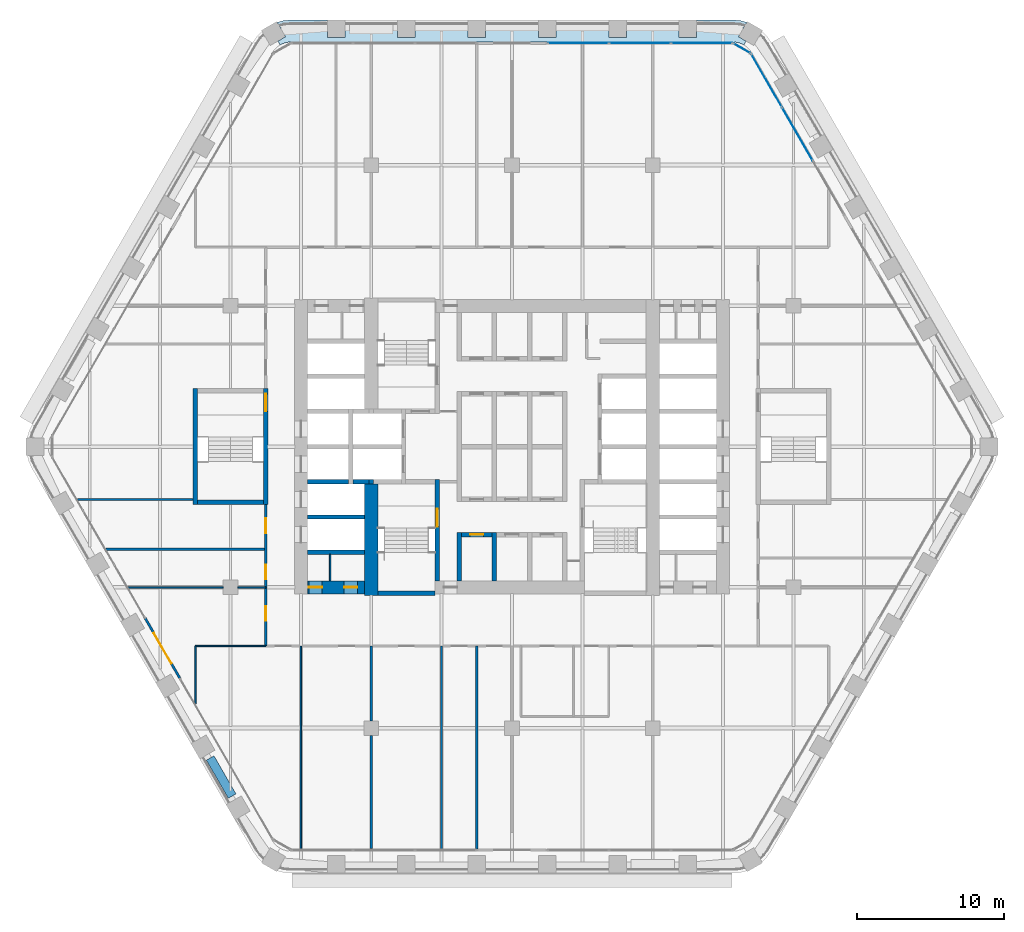
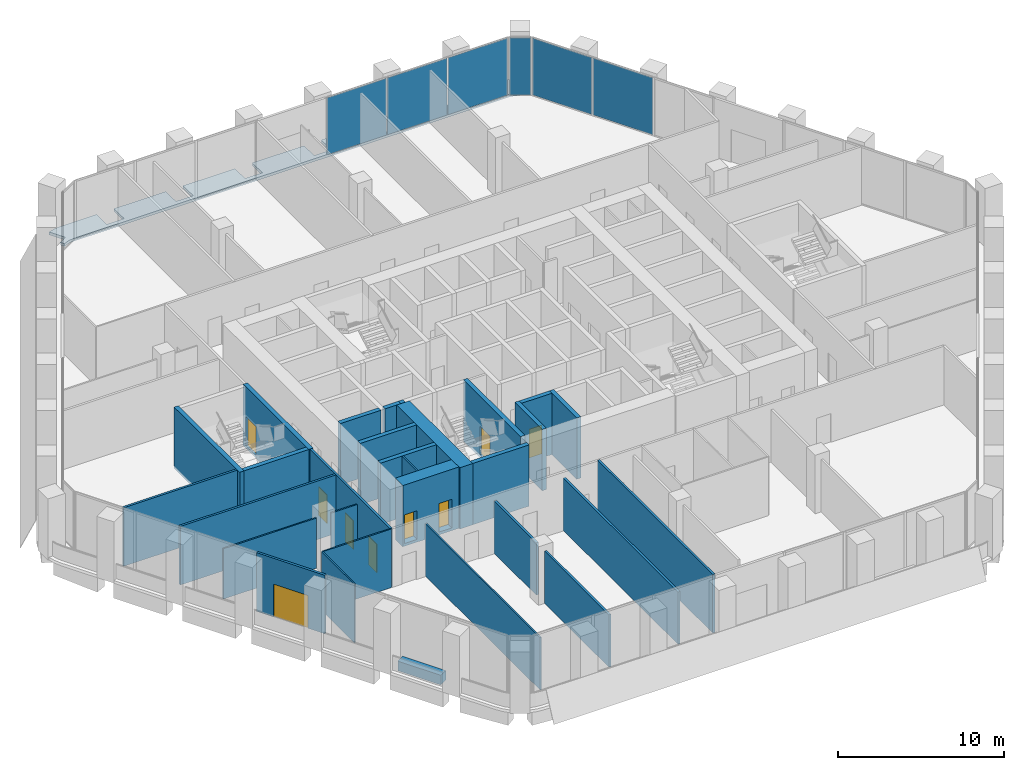
# One storey, part 12 of 23: 30 walls, 9 doors, 6 plates, 1 slab, 9 openings, 3 elements without a shape of their own.
"""IFC4 building model written with IfcOpenShell, lengths in metres."""

from ifc_helpers import new_model, si_unit, direction, frame, frame_2d, origin, origin_2d, place, context, subcontext, project, spatial, polyline, rectangle, outline, extrude, material, layer, layer_set, type_object, element, fill, aggregate, save


model = new_model("IFC4")

# Units and contexts
model_context = context("Model", 3, precision=1e-05, world=origin(), true_north=direction((0.0, 1.0)))
body_context = subcontext(model_context, "Body", "Model", "MODEL_VIEW")
ifc_project = project(units=[si_unit("LENGTHUNIT", "METRE"), si_unit("AREAUNIT", "SQUARE_METRE"), si_unit("VOLUMEUNIT", "CUBIC_METRE"), si_unit("PLANEANGLEUNIT", "RADIAN"), si_unit("MASSUNIT", "GRAM", prefix="KILO")], contexts=[model_context])

# Site, building, storey
site_placement = place(None, origin())
site = spatial("IfcSite", under=ifc_project, at=site_placement, CompositionType="ELEMENT")
building_placement = place(site_placement, origin())
building = spatial("IfcBuilding", under=site, at=building_placement, Name="Kolab Exchange Tower", CompositionType="ELEMENT")
storey_placement = place(building_placement, frame((0.0, 0.0, 95.89990234375)))
storey = spatial("IfcBuildingStorey", under=building, at=storey_placement, Name="L18", CompositionType="ELEMENT", Elevation=95.89990234375)

# Slab
ifc_material_1 = material(Name="Concrete C35/45", Category="concrete")
ifc_layer_1 = layer(ifc_material_1, 0.199951171875)
ifc_layer_set_1 = layer_set([ifc_layer_1], Name="Concrete C35/45")
slab_type = type_object("IfcSlabType", Name="LOGGIA SLAB 200", PredefinedType="FLOOR", material=ifc_layer_set_1)
slab_placement = place(storey_placement, frame((0.0, 0.0, -0.199951171875)))
element("IfcSlab", 1, at=slab_placement, inside=storey, type_object=slab_type, Name="slab/L18/loggia/0-0", PredefinedType="FLOOR", context=body_context, shape_type="SweptSolid", body=[
    extrude(outline(polyline([(15.81787109375, 27.3974609375), (15.968017578125, 27.6572265625), (15.4482421875, 27.957275390625), (16.014892578125, 28.938720703125), (15.5888671875, 29.052978515625), (15.06787109375, 29.098388671875), (12.60009765625, 29.098388671875), (12.60009765625, 27.8984375), (11.39990234375, 27.8984375), (11.39990234375, 29.098388671875), (7.800048828125, 29.098388671875), (7.800048828125, 27.8984375), (6.60009765625, 27.8984375), (6.60009765625, 29.098388671875), (3.0, 29.098388671875), (3.0, 27.8984375), (1.800048828125, 27.8984375), (1.800048828125, 29.098388671875), (-1.800048828125, 29.098388671875), (-1.800048828125, 27.8984375), (-3.0, 27.8984375), (-3.0, 29.098388671875), (-6.60009765625, 29.098388671875), (-6.60009765625, 27.8984375), (-7.800048828125, 27.8984375), (-7.800048828125, 29.098388671875), (-11.39990234375, 29.098388671875), (-11.39990234375, 27.8984375), (-12.60009765625, 27.8984375), (-12.60009765625, 29.098388671875), (-15.06787109375, 29.098388671875), (-15.5888671875, 29.052978515625), (-16.014892578125, 28.938720703125), (-15.4482421875, 27.957275390625), (-15.968017578125, 27.6572265625), (-15.81787109375, 27.3974609375), (-15.5810546875, 27.508056640625), (-15.328369140625, 27.57568359375), (-15.06787109375, 27.598388671875), (15.06787109375, 27.598388671875), (15.328369140625, 27.57568359375), (15.5810546875, 27.508056640625), (15.81787109375, 27.3974609375)])), origin(), (0.0, 0.0, 1.0), 0.199951171875),
])

# Curtain wall, plates
ifc_material_2 = material(Name="Aluminium EN AW-6063 T6", Category="aluminium")
curtain_wall_type = type_object("IfcCurtainWallType", Name="UNITISED LOWER MID ZONE CURTAIN WALL", PredefinedType="NOTDEFINED", material=ifc_material_2)
curtain_wall_1_placement = place(storey_placement, origin())
curtain_wall_1 = element("IfcCurtainWall", 2, at=curtain_wall_1_placement, inside=storey, type_object=curtain_wall_type, Name="cw/L18/F1-2", PredefinedType="NOTDEFINED")
ifc_material_3 = material(Name="Clear insulated glazing unit", Category="glass")
ifc_layer_2 = layer(ifc_material_3, 0.02587890625)
ifc_layer_set_2 = layer_set([ifc_layer_2], Name="Clear insulated glazing unit")
plate_type = type_object("IfcPlateType", Name="UNITISED LOWER MID ZONE GLASS PANEL 26", PredefinedType="CURTAIN_PANEL", material=ifc_layer_set_2)
plate_1_placement = place(storey_placement, frame((4.5263671875, 27.5185546875, 0.06005859375), z_axis=(0.0, 0.0, 1.0), x_axis=(1.0, 0.0, 0.0)))
plate_1 = element("IfcPlate", 3, at=plate_1_placement, type_object=plate_type, Name="CW2 panel 1.1", PredefinedType="CURTAIN_PANEL", context=body_context, shape_type="SweptSolid", body=[
    extrude(rectangle(XDim=4.132568359375, YDim=0.02587890625, at=origin_2d()), origin(), (0.0, 0.0, 1.0), 4.179931640625),
])
plate_2_placement = place(storey_placement, frame((8.73388671875, 27.5185546875, 0.06005859375), z_axis=(0.0, 0.0, 1.0), x_axis=(1.0, 0.0, 0.0)))
plate_2 = element("IfcPlate", 4, at=plate_2_placement, type_object=plate_type, Name="CW2 panel 2.1", PredefinedType="CURTAIN_PANEL", context=body_context, shape_type="SweptSolid", body=[
    extrude(rectangle(XDim=4.16259765625, YDim=0.02587890625, at=origin_2d()), origin(), (0.0, 0.0, 1.0), 4.179931640625),
])
plate_3_placement = place(storey_placement, frame((12.941650390625, 27.5185546875, 0.06005859375), z_axis=(0.0, 0.0, 1.0), x_axis=(1.0, 0.0, 0.0)))
plate_3 = element("IfcPlate", 5, at=plate_3_placement, type_object=plate_type, Name="CW2 panel 3.1", PredefinedType="CURTAIN_PANEL", context=body_context, shape_type="SweptSolid", body=[
    extrude(rectangle(XDim=4.132568359375, YDim=0.02587890625, at=origin_2d()), origin(), (0.0, 0.0, 1.0), 4.179931640625),
])
aggregate(curtain_wall_1, [plate_1, plate_2, plate_3])

curtain_wall_2_placement = place(storey_placement, origin())
curtain_wall_2 = element("IfcCurtainWall", 6, at=curtain_wall_2_placement, inside=storey, type_object=curtain_wall_type, Name="cw/L18/F2-1", PredefinedType="NOTDEFINED")
plate_4_placement = place(storey_placement, frame((17.36083984375, 24.967041015625, 0.06005859375), z_axis=(0.0, 0.0, 1.0), x_axis=(0.500000017564, -0.866025393644, 0.0)))
plate_4 = element("IfcPlate", 7, at=plate_4_placement, type_object=plate_type, Name="CW2 panel 1.1", PredefinedType="CURTAIN_PANEL", context=body_context, shape_type="SweptSolid", body=[
    extrude(rectangle(XDim=4.132568359375, YDim=0.02587890625, at=origin_2d()), origin(), (0.0, 0.0, 1.0), 4.179931640625),
])
plate_5_placement = place(storey_placement, frame((19.464599609375, 21.322998046875, 0.06005859375), z_axis=(0.0, 0.0, 1.0), x_axis=(0.500000017564, -0.866025393644, 0.0)))
plate_5 = element("IfcPlate", 8, at=plate_5_placement, type_object=plate_type, Name="CW2 panel 2.1", PredefinedType="CURTAIN_PANEL", context=body_context, shape_type="SweptSolid", body=[
    extrude(rectangle(XDim=4.16259765625, YDim=0.02587890625, at=origin_2d()), origin(), (0.0, 0.0, 1.0), 4.179931640625),
])
aggregate(curtain_wall_2, [plate_4, plate_5])

# Curtain wall, plate
curtain_wall_3_placement = place(storey_placement, origin())
curtain_wall_3 = element("IfcCurtainWall", 9, at=curtain_wall_3_placement, inside=storey, type_object=curtain_wall_type, Name="cw/L18/F1F2-corner", PredefinedType="NOTDEFINED")
plate_6_placement = place(storey_placement, frame((15.682861328125, 27.16357421875, 0.06005859375), z_axis=(0.0, 0.0, 1.0), x_axis=(0.866025390869, -0.50000002237, 0.0)))
plate_6 = element("IfcPlate", 10, at=plate_6_placement, type_object=plate_type, Name="CW2 panel 1.1", PredefinedType="CURTAIN_PANEL", context=body_context, shape_type="SweptSolid", body=[
    extrude(rectangle(XDim=1.300048828125, YDim=0.02587890625, at=origin_2d()), origin(), (0.0, 0.0, 1.0), 4.179931640625),
])
aggregate(curtain_wall_3, [plate_6])

# Wall, openings, doors
ifc_material_4 = material(Name="Concrete C70/85", Category="concrete")
ifc_layer_3 = layer(ifc_material_4, 0.89990234375)
ifc_layer_set_3 = layer_set([ifc_layer_3], Name="Concrete C70/85")
wall_type_1 = type_object("IfcWallType", Name="CORE WALL 900 C70/85", PredefinedType="SHEAR", material=ifc_layer_set_3)
wall_1_placement = place(storey_placement, frame((-13.949951171875, -9.60009765625, -0.199951171875), z_axis=(0.0, 0.0, 1.0), x_axis=(1.0, 0.0, 0.0)))
wall_1 = element("IfcWall", 11, at=wall_1_placement, inside=storey, type_object=wall_type_1, Name="wall/L18/core/002", PredefinedType="SHEAR", context=body_context, shape_type="SweptSolid", body=[
    extrude(rectangle(XDim=3.89990234375, YDim=0.89990234375, at=frame_2d((1.949951171875, 0.0))), origin(), (0.0, 0.0, 1.0), 4.5),
])
opening_1_placement = place(wall_1_placement, frame((0.10009765625, 0.0, 0.199951171875)))
opening_1 = element("IfcOpeningElement", 12, at=opening_1_placement, cuts=wall_1, Name="Opening D6-228", PredefinedType="OPENING", context=body_context, shape_type="SweptSolid", body=[
    extrude(rectangle(XDim=0.89990234375, YDim=2.10009765625, at=frame_2d((0.449951171875, 1.050048828125))), frame((0.0, 0.4599609375, 0.0), z_axis=(0.0, -1.0, 0.0), x_axis=(1.0, 0.0, 0.0)), (0.0, 0.0, 1.0), 0.919921875),
])
opening_2_placement = place(wall_1_placement, frame((2.5, 0.0, 0.199951171875)))
opening_2 = element("IfcOpeningElement", 13, at=opening_2_placement, cuts=wall_1, Name="Opening D6-229", PredefinedType="OPENING", context=body_context, shape_type="SweptSolid", body=[
    extrude(rectangle(XDim=0.89990234375, YDim=2.10009765625, at=frame_2d((0.449951171875, 1.050048828125))), frame((0.0, 0.4599609375, 0.0), z_axis=(0.0, -1.0, 0.0), x_axis=(1.0, 0.0, 0.0)), (0.0, 0.0, 1.0), 0.919921875),
])
ifc_material_5 = material(Name="Steel S235", Category="steel")
door_type_1 = type_object("IfcDoorType", Name="CORE DOOR 900 EI 120", OperationType="SINGLE_SWING_LEFT", PredefinedType="DOOR", material=ifc_material_5)
door_1_placement = place(opening_1_placement, origin())
door_1 = element("IfcDoor", 14, at=door_1_placement, inside=storey, type_object=door_type_1, Name="Service room door", OperationType="SINGLE_SWING_RIGHT", OverallHeight=2.10009765625, OverallWidth=0.89990234375, PredefinedType="DOOR", context=body_context, shape_type="SweptSolid", body=[
    extrude(rectangle(XDim=0.89990234375, YDim=2.10009765625, at=frame_2d((0.449951171875, 1.050048828125))), frame((0.0, 0.02490234375, 0.0), z_axis=(0.0, -1.0, 0.0), x_axis=(1.0, 0.0, 0.0)), (0.0, 0.0, 1.0), 0.050048828125),
])
fill(opening_1, door_1)
door_2_placement = place(opening_2_placement, origin())
door_2 = element("IfcDoor", 15, at=door_2_placement, inside=storey, type_object=door_type_1, Name="Service room door", OperationType="SINGLE_SWING_LEFT", OverallHeight=2.10009765625, OverallWidth=0.89990234375, PredefinedType="DOOR", context=body_context, shape_type="SweptSolid", body=[
    extrude(rectangle(XDim=0.89990234375, YDim=2.10009765625, at=frame_2d((0.449951171875, 1.050048828125))), frame((0.0, 0.02490234375, 0.0), z_axis=(0.0, -1.0, 0.0), x_axis=(1.0, 0.0, 0.0)), (0.0, 0.0, 1.0), 0.050048828125),
])
fill(opening_2, door_2)

# Wall
wall_2_placement = place(storey_placement, frame((-9.60009765625, -10.14990234375, -0.199951171875), z_axis=(0.0, 0.0, 1.0), x_axis=(0.0, 1.0, 0.0)))
element("IfcWall", 16, at=wall_2_placement, inside=storey, type_object=wall_type_1, Name="wall/L18/core/059", PredefinedType="SHEAR", context=body_context, shape_type="SweptSolid", body=[
    extrude(rectangle(XDim=7.599853515625, YDim=0.89990234375, at=frame_2d((3.7998046875, 0.0))), origin(), (0.0, 0.0, 1.0), 4.5),
])

# Wall, opening, door
ifc_layer_4 = layer(ifc_material_2, 0.159912109375)
ifc_layer_set_4 = layer_set([ifc_layer_4], Name="Aluminium EN AW-6063 T6")
wall_type_2 = type_object("IfcWallType", Name="DOOR SURROUND WALL 160 ALUMINIUM FRAMED", PredefinedType="PARTITIONING", material=ifc_layer_set_4)
wall_3_placement = place(storey_placement, frame((-22.646728515625, -15.811767578125, 0.0), z_axis=(0.0, 0.0, 1.0), x_axis=(-0.499978080042, 0.866038058908, 0.0)))
wall_3 = element("IfcWall", 17, at=wall_3_placement, inside=storey, type_object=wall_type_2, Name="Door surround wall", PredefinedType="PARTITIONING", context=body_context, shape_type="SweptSolid", body=[
    extrude(rectangle(XDim=4.739990234375, YDim=0.159912109375, at=frame_2d((2.3701171875, 0.0))), origin(), (0.0, 0.0, 1.0), 4.300048828125),
])
opening_3_placement = place(wall_3_placement, frame((1.169921875, 0.0, 0.0)))
opening_3 = element("IfcOpeningElement", 18, at=opening_3_placement, cuts=wall_3, Name="Opening GD1-038", PredefinedType="OPENING", context=body_context, shape_type="SweptSolid", body=[
    extrude(rectangle(XDim=2.39990234375, YDim=2.39990234375, at=frame_2d((1.199951171875, 1.199951171875))), frame((0.0, 0.08984375, 0.0), z_axis=(0.0, -1.0, 0.0), x_axis=(1.0, 0.0, 0.0)), (0.0, 0.0, 1.0), 0.179931640625),
])
door_type_2 = type_object("IfcDoorType", Name="LOGGIA SLIDING GLASS DOOR 2400 X 2400", OperationType="DOUBLE_DOOR_SINGLE_SWING", PredefinedType="DOOR", material=ifc_material_2)
door_3_placement = place(opening_3_placement, origin())
door_3 = element("IfcDoor", 19, at=door_3_placement, inside=storey, type_object=door_type_2, Name="Loggia door", OperationType="DOUBLE_DOOR_SLIDING", OverallHeight=2.39990234375, OverallWidth=2.39990234375, PredefinedType="DOOR", context=body_context, shape_type="SweptSolid", body=[
    extrude(rectangle(XDim=2.39990234375, YDim=2.39990234375, at=frame_2d((1.199951171875, 1.199951171875))), frame((0.0, 0.02490234375, 0.0), z_axis=(0.0, -1.0, 0.0), x_axis=(1.0, 0.0, 0.0)), (0.0, 0.0, 1.0), 0.050048828125),
])
fill(opening_3, door_3)

# Wall
ifc_material_6 = material(Name="Concrete C50/60", Category="concrete")
ifc_layer_5 = layer(ifc_material_6, 0.300048828125)
ifc_layer_set_5 = layer_set([ifc_layer_5], Name="Concrete C50/60")
wall_type_3 = type_object("IfcWallType", Name="LIFT SHAFT WALL 300 C50/60", PredefinedType="STANDARD", material=ifc_layer_set_5)
wall_4_placement = place(storey_placement, frame((-13.949951171875, -7.199951171875, -0.199951171875), z_axis=(0.0, 0.0, 1.0), x_axis=(1.0, 0.0, 0.0)))
element("IfcWall", 20, at=wall_4_placement, inside=storey, type_object=wall_type_3, Name="wall/L18/core/005", PredefinedType="STANDARD", context=body_context, shape_type="SweptSolid", body=[
    extrude(rectangle(XDim=3.89990234375, YDim=0.300048828125, at=frame_2d((1.949951171875, 0.0))), origin(), (0.0, 0.0, 1.0), 4.5),
])

# Wall, opening, door
wall_5_placement = place(storey_placement, frame((-3.449951171875, -6.0, -0.199951171875), z_axis=(0.0, 0.0, 1.0), x_axis=(1.0, 0.0, 0.0)))
wall_5 = element("IfcWall", 21, at=wall_5_placement, inside=storey, type_object=wall_type_3, Name="wall/L18/core/007", PredefinedType="STANDARD", context=body_context, shape_type="SweptSolid", body=[
    extrude(rectangle(XDim=2.099853515625, YDim=0.300048828125, at=frame_2d((1.0498046875, 0.0))), origin(), (0.0, 0.0, 1.0), 4.5),
])
opening_4_placement = place(wall_5_placement, frame((0.60009765625, 0.0, 0.199951171875)))
opening_4 = element("IfcOpeningElement", 22, at=opening_4_placement, cuts=wall_5, Name="Opening D6-202", PredefinedType="OPENING", context=body_context, shape_type="SweptSolid", body=[
    extrude(rectangle(XDim=0.89990234375, YDim=2.10009765625, at=frame_2d((0.449951171875, 1.050048828125))), frame((0.0, 0.16015625, 0.0), z_axis=(0.0, -1.0, 0.0), x_axis=(1.0, 0.0, 0.0)), (0.0, 0.0, 1.0), 0.320068359375),
])
door_4_placement = place(opening_4_placement, frame((0.89990234375, 0.0, 0.0), z_axis=(0.0, 0.0, 1.0), x_axis=(-1.0, 0.0, 0.0)))
door_4 = element("IfcDoor", 23, at=door_4_placement, inside=storey, type_object=door_type_1, Name="Service room door", OperationType="SINGLE_SWING_LEFT", OverallHeight=2.10009765625, OverallWidth=0.89990234375, PredefinedType="DOOR", context=body_context, shape_type="SweptSolid", body=[
    extrude(rectangle(XDim=0.89990234375, YDim=2.10009765625, at=frame_2d((0.449951171875, 1.050048828125))), frame((0.0, 0.02490234375, 0.0), z_axis=(0.0, -1.0, 0.0), x_axis=(1.0, 0.0, 0.0)), (0.0, 0.0, 1.0), 0.050048828125),
])
fill(opening_4, door_4)

# Walls
wall_6_placement = place(storey_placement, frame((-13.949951171875, -4.800048828125, -0.199951171875), z_axis=(0.0, 0.0, 1.0), x_axis=(1.0, 0.0, 0.0)))
element("IfcWall", 24, at=wall_6_placement, inside=storey, type_object=wall_type_3, Name="wall/L18/core/010", PredefinedType="STANDARD", context=body_context, shape_type="SweptSolid", body=[
    extrude(rectangle(XDim=3.89990234375, YDim=0.300048828125, at=frame_2d((1.949951171875, 0.0))), origin(), (0.0, 0.0, 1.0), 4.5),
])
wall_7_placement = place(storey_placement, frame((-13.949951171875, -2.39990234375, -0.199951171875), z_axis=(0.0, 0.0, 1.0), x_axis=(1.0, 0.0, 0.0)))
element("IfcWall", 25, at=wall_7_placement, inside=storey, type_object=wall_type_3, Name="wall/L18/core/017", PredefinedType="STANDARD", context=body_context, shape_type="SweptSolid", body=[
    extrude(rectangle(XDim=2.800048828125, YDim=0.300048828125, at=frame_2d((1.39990234375, 0.0))), origin(), (0.0, 0.0, 1.0), 4.5),
])
wall_8_placement = place(storey_placement, frame((-10.85009765625, -2.39990234375, -0.199951171875), z_axis=(0.0, 0.0, 1.0), x_axis=(1.0, 0.0, 0.0)))
element("IfcWall", 26, at=wall_8_placement, inside=storey, type_object=wall_type_3, Name="wall/L18/core/018", PredefinedType="STANDARD", context=body_context, shape_type="SweptSolid", body=[
    extrude(rectangle(XDim=1.10009765625, YDim=0.300048828125, at=frame_2d((0.550048828125, 0.0))), origin(), (0.0, 0.0, 1.0), 4.5),
])
for number, where, z_axis, x_axis, name in (
    (27, (-3.60009765625, -9.14990234375, -0.199951171875), (0.0, 0.0, 1.0), (0.0, 1.0, 0.0), "wall/L18/core/066"),
    (28, (-1.199951171875, -9.14990234375, -0.199951171875), (0.0, 0.0, 1.0), (0.0, 1.0, 0.0), "wall/L18/core/069"),
):
    element("IfcWall", number, at=place(storey_placement, frame(where, z_axis=z_axis, x_axis=x_axis)), inside=storey, type_object=wall_type_3, Name=name, PredefinedType="STANDARD", context=body_context, shape_type="SweptSolid", body=[
        extrude(rectangle(XDim=3.2998046875, YDim=0.300048828125, at=frame_2d((1.64990234375, 0.0))), origin(), (0.0, 0.0, 1.0), 4.5),
    ])
ifc_material_7 = material(Name="Gypsum board", Category="gypsum")
ifc_layer_6 = layer(ifc_material_7, 0.10009765625)
ifc_layer_set_6 = layer_set([ifc_layer_6], Name="Gypsum board")
wall_type_4 = type_object("IfcWallType", Name="PARTITION 100", PredefinedType="PARTITIONING", material=ifc_layer_set_6)
wall_9_placement = place(storey_placement, frame((-12.39990234375, -9.14990234375, 0.0), z_axis=(0.0, 0.0, 1.0), x_axis=(0.0, 1.0, 0.0)))
element("IfcWall", 29, at=wall_9_placement, inside=storey, type_object=wall_type_4, Name="Partition 029", PredefinedType="PARTITIONING", context=body_context, shape_type="SweptSolid", body=[
    extrude(rectangle(XDim=1.7998046875, YDim=0.10009765625, at=frame_2d((0.89990234375, 0.0))), origin(), (0.0, 0.0, 1.0), 4.300048828125),
])
wall_10_placement = place(storey_placement, frame((-14.39990234375, -27.428466796875, 0.0), z_axis=(0.0, 0.0, 1.0), x_axis=(0.0, 1.0, 0.0)))
element("IfcWall", 30, at=wall_10_placement, inside=storey, type_object=wall_type_4, Name="Partition 030", PredefinedType="PARTITIONING", context=body_context, shape_type="SweptSolid", body=[
    extrude(rectangle(XDim=13.828369140625, YDim=0.10009765625, at=frame_2d((6.9140625, 0.0))), origin(), (0.0, 0.0, 1.0), 3.843017578125),
])
wall_11_placement = place(storey_placement, frame((-21.60009765625, -17.544677734375, 0.0), z_axis=(0.0, 0.0, 1.0), x_axis=(0.0, 1.0, 0.0)))
element("IfcWall", 31, at=wall_11_placement, inside=storey, type_object=wall_type_4, Name="Partition 033", PredefinedType="PARTITIONING", context=body_context, shape_type="SweptSolid", body=[
    extrude(rectangle(XDim=3.944580078125, YDim=0.10009765625, at=frame_2d((1.97216796875, 0.0))), origin(), (0.0, 0.0, 1.0), 4.300048828125),
])
wall_12_placement = place(storey_placement, frame((-21.60009765625, -13.60009765625, 0.0), z_axis=(0.0, 0.0, 1.0), x_axis=(1.0, 0.0, 0.0)))
element("IfcWall", 32, at=wall_12_placement, inside=storey, type_object=wall_type_4, Name="Partition 036", PredefinedType="PARTITIONING", context=body_context, shape_type="SweptSolid", body=[
    extrude(rectangle(XDim=4.800048828125, YDim=0.10009765625, at=frame_2d((2.39990234375, 0.0))), origin(), (0.0, 0.0, 1.0), 4.300048828125),
])
wall_13_placement = place(storey_placement, frame((-26.186767578125, -9.60009765625, 0.0), z_axis=(0.0, 0.0, 1.0), x_axis=(1.0, 0.0, 0.0)))
element("IfcWall", 33, at=wall_13_placement, inside=storey, type_object=wall_type_4, Name="Partition 038", PredefinedType="PARTITIONING", context=body_context, shape_type="SweptSolid", body=[
    extrude(rectangle(XDim=6.48681640625, YDim=0.10009765625, at=frame_2d((3.243408203125, 0.0))), origin(), (0.0, 0.0, 1.0), 3.692138671875),
])
wall_14_placement = place(storey_placement, frame((-18.699951171875, -9.60009765625, 0.0), z_axis=(0.0, 0.0, 1.0), x_axis=(1.0, 0.0, 0.0)))
element("IfcWall", 34, at=wall_14_placement, inside=storey, type_object=wall_type_4, Name="Partition 039", PredefinedType="PARTITIONING", context=body_context, shape_type="SweptSolid", body=[
    extrude(rectangle(XDim=1.89990234375, YDim=0.10009765625, at=frame_2d((0.949951171875, 0.0))), origin(), (0.0, 0.0, 1.0), 3.692138671875),
])
ifc_layer_7 = layer(ifc_material_7, 0.14990234375)
ifc_layer_set_7 = layer_set([ifc_layer_7], Name="Gypsum board")
wall_type_5 = type_object("IfcWallType", Name="PARTITION 150 FIRE-RATED", PredefinedType="PARTITIONING", material=ifc_layer_set_7)
wall_15_placement = place(storey_placement, frame((-2.39990234375, -27.4384765625, 0.0), z_axis=(0.0, 0.0, 1.0), x_axis=(0.0, 1.0, 0.0)))
element("IfcWall", 35, at=wall_15_placement, inside=storey, type_object=wall_type_5, Name="Partition 020", PredefinedType="PARTITIONING", context=body_context, shape_type="SweptSolid", body=[
    extrude(rectangle(XDim=13.83837890625, YDim=0.14990234375, at=frame_2d((6.919189453125, 0.0))), origin(), (0.0, 0.0, 1.0), 4.300048828125),
])
wall_16_placement = place(storey_placement, frame((-4.800048828125, -27.428466796875, 0.0), z_axis=(0.0, 0.0, 1.0), x_axis=(0.0, 1.0, 0.0)))
element("IfcWall", 36, at=wall_16_placement, inside=storey, type_object=wall_type_5, Name="Partition 022", PredefinedType="PARTITIONING", context=body_context, shape_type="SweptSolid", body=[
    extrude(rectangle(XDim=13.828369140625, YDim=0.14990234375, at=frame_2d((6.9140625, 0.0))), origin(), (0.0, 0.0, 1.0), 3.843017578125),
])
wall_17_placement = place(storey_placement, frame((-9.60009765625, -27.428466796875, 0.0), z_axis=(0.0, 0.0, 1.0), x_axis=(0.0, 1.0, 0.0)))
element("IfcWall", 37, at=wall_17_placement, inside=storey, type_object=wall_type_5, Name="Partition 023", PredefinedType="PARTITIONING", context=body_context, shape_type="SweptSolid", body=[
    extrude(rectangle(XDim=7.728515625, YDim=0.14990234375, at=frame_2d((3.8642578125, 0.0))), origin(), (0.0, 0.0, 1.0), 3.843017578125),
])
wall_18_placement = place(storey_placement, frame((-9.60009765625, -18.699951171875, 0.0), z_axis=(0.0, 0.0, 1.0), x_axis=(0.0, 1.0, 0.0)))
element("IfcWall", 38, at=wall_18_placement, inside=storey, type_object=wall_type_5, Name="Partition 024", PredefinedType="PARTITIONING", context=body_context, shape_type="SweptSolid", body=[
    extrude(rectangle(XDim=5.099853515625, YDim=0.14990234375, at=frame_2d((2.5498046875, 0.0))), origin(), (0.0, 0.0, 1.0), 3.843017578125),
])

# Wall, openings, doors
wall_19_placement = place(storey_placement, frame((-16.800048828125, -13.60009765625, 0.0), z_axis=(0.0, 0.0, 1.0), x_axis=(0.0, 1.0, 0.0)))
wall_19 = element("IfcWall", 39, at=wall_19_placement, inside=storey, type_object=wall_type_5, Name="Partition 031", PredefinedType="PARTITIONING", context=body_context, shape_type="SweptSolid", body=[
    extrude(rectangle(XDim=9.650146484375, YDim=0.14990234375, at=frame_2d((4.8251953125, 0.0))), origin(), (0.0, 0.0, 1.0), 4.300048828125),
])
opening_5_placement = place(wall_19_placement, frame((1.72509765625, 0.0, 0.0)))
opening_5 = element("IfcOpeningElement", 40, at=opening_5_placement, cuts=wall_19, Name="Opening D1-276", PredefinedType="OPENING", context=body_context, shape_type="SweptSolid", body=[
    extrude(rectangle(XDim=1.0, YDim=2.10009765625, at=frame_2d((0.5, 1.050048828125))), frame((0.0, 0.0849609375, 0.0), z_axis=(0.0, -1.0, 0.0), x_axis=(1.0, 0.0, 0.0)), (0.0, 0.0, 1.0), 0.169921875),
])
opening_6_placement = place(wall_19_placement, frame((4.554931640625, 0.0, 0.0)))
opening_6 = element("IfcOpeningElement", 41, at=opening_6_placement, cuts=wall_19, Name="Opening D1-277", PredefinedType="OPENING", context=body_context, shape_type="SweptSolid", body=[
    extrude(rectangle(XDim=1.0, YDim=2.10009765625, at=frame_2d((0.5, 1.050048828125))), frame((0.0, 0.0849609375, 0.0), z_axis=(0.0, -1.0, 0.0), x_axis=(1.0, 0.0, 0.0)), (0.0, 0.0, 1.0), 0.169921875),
])
opening_7_placement = place(wall_19_placement, frame((7.699951171875, 0.0, 0.0)))
opening_7 = element("IfcOpeningElement", 42, at=opening_7_placement, cuts=wall_19, Name="Opening D1-278", PredefinedType="OPENING", context=body_context, shape_type="SweptSolid", body=[
    extrude(rectangle(XDim=1.0, YDim=2.10009765625, at=frame_2d((0.5, 1.050048828125))), frame((0.0, 0.0849609375, 0.0), z_axis=(0.0, -1.0, 0.0), x_axis=(1.0, 0.0, 0.0)), (0.0, 0.0, 1.0), 0.169921875),
])
door_type_3 = type_object("IfcDoorType", Name="FLUSH DOOR 1000 FD60", OperationType="SINGLE_SWING_LEFT", PredefinedType="DOOR", material=ifc_material_5)
door_5_placement = place(opening_5_placement, origin())
door_5 = element("IfcDoor", 43, at=door_5_placement, inside=storey, type_object=door_type_3, Name="Door L18-070", OperationType="SINGLE_SWING_RIGHT", OverallHeight=2.10009765625, OverallWidth=1.0, PredefinedType="DOOR", context=body_context, shape_type="SweptSolid", body=[
    extrude(rectangle(XDim=1.0, YDim=2.10009765625, at=frame_2d((0.5, 1.050048828125))), frame((0.0, 0.02490234375, 0.0), z_axis=(0.0, -1.0, 0.0), x_axis=(1.0, 0.0, 0.0)), (0.0, 0.0, 1.0), 0.050048828125),
])
fill(opening_5, door_5)
door_6_placement = place(opening_6_placement, origin())
door_6 = element("IfcDoor", 44, at=door_6_placement, inside=storey, type_object=door_type_3, Name="Door L18-071", OperationType="SINGLE_SWING_LEFT", OverallHeight=2.10009765625, OverallWidth=1.0, PredefinedType="DOOR", context=body_context, shape_type="SweptSolid", body=[
    extrude(rectangle(XDim=1.0, YDim=2.10009765625, at=frame_2d((0.5, 1.050048828125))), frame((0.0, 0.02490234375, 0.0), z_axis=(0.0, -1.0, 0.0), x_axis=(1.0, 0.0, 0.0)), (0.0, 0.0, 1.0), 0.050048828125),
])
fill(opening_6, door_6)
door_7_placement = place(opening_7_placement, origin())
door_7 = element("IfcDoor", 45, at=door_7_placement, inside=storey, type_object=door_type_3, Name="Door L18-072", OperationType="SINGLE_SWING_LEFT", OverallHeight=2.10009765625, OverallWidth=1.0, PredefinedType="DOOR", context=body_context, shape_type="SweptSolid", body=[
    extrude(rectangle(XDim=1.0, YDim=2.10009765625, at=frame_2d((0.5, 1.050048828125))), frame((0.0, 0.02490234375, 0.0), z_axis=(0.0, -1.0, 0.0), x_axis=(1.0, 0.0, 0.0)), (0.0, 0.0, 1.0), 0.050048828125),
])
fill(opening_7, door_7)

# Walls
wall_20_placement = place(storey_placement, frame((-27.68798828125, -7.0, 0.0), z_axis=(0.0, 0.0, 1.0), x_axis=(1.0, 0.0, 0.0)))
element("IfcWall", 46, at=wall_20_placement, inside=storey, type_object=wall_type_5, Name="Partition 044", PredefinedType="PARTITIONING", context=body_context, shape_type="SweptSolid", body=[
    extrude(rectangle(XDim=10.887939453125, YDim=0.14990234375, at=frame_2d((5.44384765625, 0.0))), origin(), (0.0, 0.0, 1.0), 4.300048828125),
])
wall_21_placement = place(storey_placement, frame((-29.65087890625, -3.60009765625, 0.0), z_axis=(0.0, 0.0, 1.0), x_axis=(1.0, 0.0, 0.0)))
element("IfcWall", 47, at=wall_21_placement, inside=storey, type_object=wall_type_5, Name="Partition 045", PredefinedType="PARTITIONING", context=body_context, shape_type="SweptSolid", body=[
    extrude(rectangle(XDim=7.90087890625, YDim=0.14990234375, at=frame_2d((3.950439453125, 0.0))), origin(), (0.0, 0.0, 1.0), 4.300048828125),
])
ifc_material_8 = material(Name="Granite facing", Category="masonry")
ifc_layer_8 = layer(ifc_material_8, 0.0400390625)
ifc_material_9 = material(Name="Concrete C40/50 precast", Category="concrete")
ifc_layer_9 = layer(ifc_material_9, 0.56005859375)
ifc_layer_set_8 = layer_set([ifc_layer_8, ifc_layer_9], Name="Concrete C40/50 precast")
wall_type_6 = type_object("IfcWallType", Name="PLANTER BOX 600 X 700 SOIL DEPTH 550", PredefinedType="USERDEFINED", material=ifc_layer_set_8)
wall_22_placement = place(storey_placement, frame((-19.087158203125, -23.837158203125, 0.0), z_axis=(0.0, 0.0, 1.0), x_axis=(-0.499990139034, 0.866031096941, 0.0)))
element("IfcWall", 48, at=wall_22_placement, inside=storey, type_object=wall_type_6, Name="Planter", ObjectType="PLANTER", PredefinedType="USERDEFINED", context=body_context, shape_type="SweptSolid", body=[
    extrude(rectangle(XDim=3.0, YDim=0.60009765625, at=frame_2d((1.5, 0.0))), origin(), (0.0, 0.0, 1.0), 0.7001953125),
])
ifc_layer_10 = layer(ifc_material_6, 0.300048828125)
ifc_layer_set_9 = layer_set([ifc_layer_10], Name="Concrete C50/60")
wall_type_7 = type_object("IfcWallType", Name="STAIR ENCLOSURE WALL 300 C50/60", PredefinedType="STANDARD", material=ifc_layer_set_9)
wall_23_placement = place(storey_placement, frame((-9.14990234375, -10.0, -0.199951171875), z_axis=(0.0, 0.0, 1.0), x_axis=(1.0, 0.0, 0.0)))
element("IfcWall", 49, at=wall_23_placement, inside=storey, type_object=wall_type_7, Name="wall/L18/core/000", PredefinedType="STANDARD", context=body_context, shape_type="SweptSolid", body=[
    extrude(rectangle(XDim=3.89990234375, YDim=0.300048828125, at=frame_2d((1.949951171875, 0.0))), origin(), (0.0, 0.0, 1.0), 4.5),
])
wall_24_placement = place(storey_placement, frame((-21.449951171875, -3.800048828125, -0.199951171875), z_axis=(0.0, 0.0, 1.0), x_axis=(1.0, 0.0, 0.0)))
element("IfcWall", 50, at=wall_24_placement, inside=storey, type_object=wall_type_7, Name="wall/L18/core/012", PredefinedType="STANDARD", context=body_context, shape_type="SweptSolid", body=[
    extrude(rectangle(XDim=4.5, YDim=0.300048828125, at=frame_2d((2.25, 0.0))), origin(), (0.0, 0.0, 1.0), 4.5),
])
wall_25_placement = place(storey_placement, frame((-21.60009765625, -3.949951171875, -0.199951171875), z_axis=(0.0, 0.0, 1.0), x_axis=(0.0, 1.0, 0.0)))
element("IfcWall", 51, at=wall_25_placement, inside=storey, type_object=wall_type_7, Name="wall/L18/core/055", PredefinedType="STANDARD", context=body_context, shape_type="SweptSolid", body=[
    extrude(rectangle(XDim=7.89990234375, YDim=0.300048828125, at=frame_2d((3.949951171875, 0.0))), origin(), (0.0, 0.0, 1.0), 4.5),
])

# Wall, opening, door
wall_26_placement = place(storey_placement, frame((-16.800048828125, -3.949951171875, -0.199951171875), z_axis=(0.0, 0.0, 1.0), x_axis=(0.0, 1.0, 0.0)))
wall_26 = element("IfcWall", 52, at=wall_26_placement, inside=storey, type_object=wall_type_7, Name="wall/L18/core/056", PredefinedType="STANDARD", context=body_context, shape_type="SweptSolid", body=[
    extrude(rectangle(XDim=7.89990234375, YDim=0.300048828125, at=frame_2d((3.949951171875, 0.0))), origin(), (0.0, 0.0, 1.0), 4.5),
])
opening_8_placement = place(wall_26_placement, frame((6.35009765625, 0.0, 0.199951171875)))
opening_8 = element("IfcOpeningElement", 53, at=opening_8_placement, cuts=wall_26, Name="Opening D4-048", PredefinedType="OPENING", context=body_context, shape_type="SweptSolid", body=[
    extrude(rectangle(XDim=1.199951171875, YDim=2.10009765625, at=frame_2d((0.60009765625, 1.050048828125))), frame((0.0, 0.16015625, 0.0), z_axis=(0.0, -1.0, 0.0), x_axis=(1.0, 0.0, 0.0)), (0.0, 0.0, 1.0), 0.320068359375),
])
door_type_4 = type_object("IfcDoorType", Name="STAIR DOOR 1200 EI 120", OperationType="SINGLE_SWING_LEFT", PredefinedType="DOOR", material=ifc_material_5)
door_8_placement = place(opening_8_placement, origin())
door_8 = element("IfcDoor", 54, at=door_8_placement, inside=storey, type_object=door_type_4, Name="Stair 5 door", OperationType="SINGLE_SWING_RIGHT", OverallHeight=2.10009765625, OverallWidth=1.199951171875, PredefinedType="DOOR", context=body_context, shape_type="SweptSolid", body=[
    extrude(rectangle(XDim=1.199951171875, YDim=2.10009765625, at=frame_2d((0.60009765625, 1.050048828125))), frame((0.0, 0.02490234375, 0.0), z_axis=(0.0, -1.0, 0.0), x_axis=(1.0, 0.0, 0.0)), (0.0, 0.0, 1.0), 0.050048828125),
])
fill(opening_8, door_8)

# Wall
wall_27_placement = place(storey_placement, frame((-9.60009765625, -2.550048828125, -0.199951171875), z_axis=(0.0, 0.0, 1.0), x_axis=(0.0, 1.0, 0.0)))
element("IfcWall", 55, at=wall_27_placement, inside=storey, type_object=wall_type_7, Name="wall/L18/core/060", PredefinedType="STANDARD", context=body_context, shape_type="SweptSolid", body=[
    extrude(rectangle(XDim=0.300048828125, YDim=0.300048828125, at=frame_2d((0.14990234375, 0.0))), origin(), (0.0, 0.0, 1.0), 4.5),
])

# Wall, opening, door
wall_28_placement = place(storey_placement, frame((-5.10009765625, -9.14990234375, -0.199951171875), z_axis=(0.0, 0.0, 1.0), x_axis=(0.0, 1.0, 0.0)))
wall_28 = element("IfcWall", 56, at=wall_28_placement, inside=storey, type_object=wall_type_7, Name="wall/L18/core/064", PredefinedType="STANDARD", context=body_context, shape_type="SweptSolid", body=[
    extrude(rectangle(XDim=6.89990234375, YDim=0.300048828125, at=frame_2d((3.449951171875, 0.0))), origin(), (0.0, 0.0, 1.0), 4.5),
])
opening_9_placement = place(wall_28_placement, frame((3.699951171875, 0.0, 0.199951171875)))
opening_9 = element("IfcOpeningElement", 57, at=opening_9_placement, cuts=wall_28, Name="Opening D4-046", PredefinedType="OPENING", context=body_context, shape_type="SweptSolid", body=[
    extrude(rectangle(XDim=1.199951171875, YDim=2.10009765625, at=frame_2d((0.60009765625, 1.050048828125))), frame((0.0, 0.16015625, 0.0), z_axis=(0.0, -1.0, 0.0), x_axis=(1.0, 0.0, 0.0)), (0.0, 0.0, 1.0), 0.320068359375),
])
door_9_placement = place(opening_9_placement, origin())
door_9 = element("IfcDoor", 58, at=door_9_placement, inside=storey, type_object=door_type_4, Name="Stair 3 door", OperationType="SINGLE_SWING_RIGHT", OverallHeight=2.10009765625, OverallWidth=1.199951171875, PredefinedType="DOOR", context=body_context, shape_type="SweptSolid", body=[
    extrude(rectangle(XDim=1.199951171875, YDim=2.10009765625, at=frame_2d((0.60009765625, 1.050048828125))), frame((0.0, 0.02490234375, 0.0), z_axis=(0.0, -1.0, 0.0), x_axis=(1.0, 0.0, 0.0)), (0.0, 0.0, 1.0), 0.050048828125),
])
fill(opening_9, door_9)

save(model, "model.ifc")
